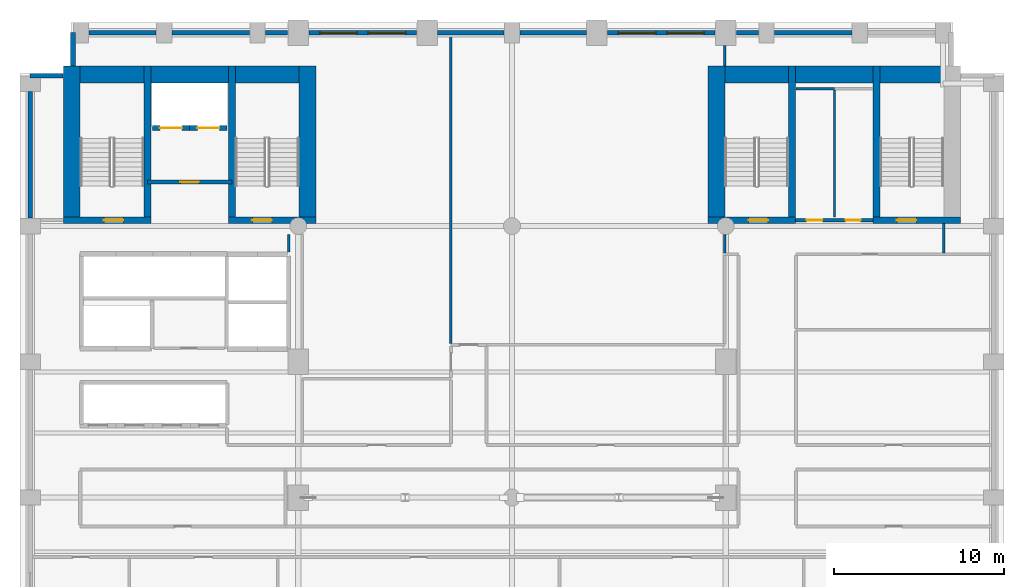
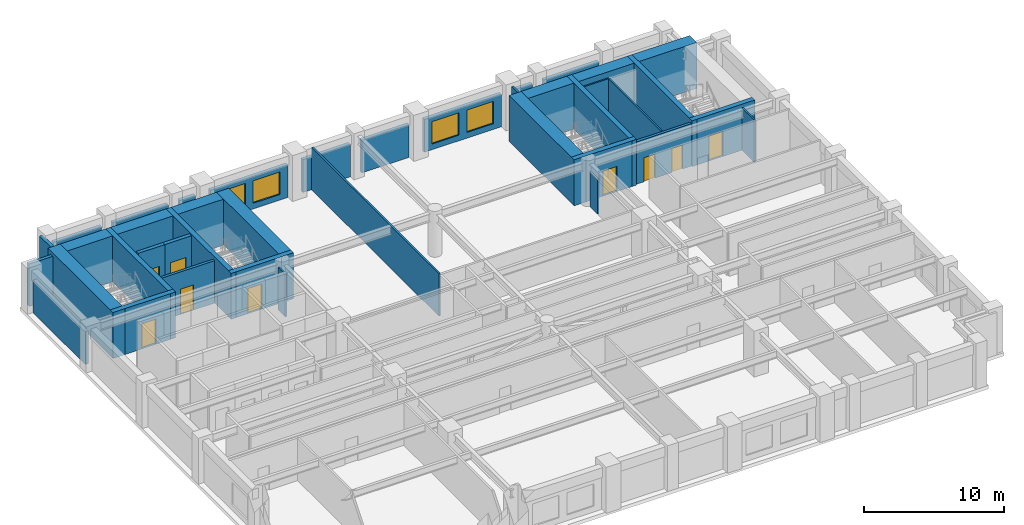
# One storey, part 7 of 10: 36 walls, 9 doors, 4 windows, 13 openings.
"""IFC4 building model written with IfcOpenShell, lengths in metres."""

from ifc_helpers import new_model, si_unit, direction, frame, frame_2d, origin, place, context, subcontext, project, spatial, rectangle, extrude, material, layer, layer_set, type_object, element, fill, save


model = new_model("IFC4")

# Units and contexts
model_context = context("Model", 3, precision=1e-05, world=origin(), true_north=direction((0.0, 1.0)))
body_context = subcontext(model_context, "Body", "Model", "MODEL_VIEW")
ifc_project = project(units=[si_unit("LENGTHUNIT", "METRE"), si_unit("AREAUNIT", "SQUARE_METRE"), si_unit("VOLUMEUNIT", "CUBIC_METRE"), si_unit("PLANEANGLEUNIT", "RADIAN"), si_unit("MASSUNIT", "GRAM", prefix="KILO")], contexts=[model_context])

# Site, building, storey
site_placement = place(None, origin())
site = spatial("IfcSite", under=ifc_project, at=site_placement, CompositionType="ELEMENT")
building_placement = place(site_placement, origin())
building = spatial("IfcBuilding", under=site, at=building_placement, Name="Sulina Concourse Tower", CompositionType="ELEMENT")
storey_placement = place(building_placement, frame((0.0, 0.0, 58.60009765625)))
storey = spatial("IfcBuildingStorey", under=building, at=storey_placement, Name="L14", CompositionType="ELEMENT", Elevation=58.60009765625)

# Wall, opening, door
ifc_material_1 = material(Name="Concrete C50/60", Category="concrete")
ifc_layer_1 = layer(ifc_material_1, 0.300048828125)
ifc_layer_set_1 = layer_set([ifc_layer_1], Name="Concrete C50/60")
wall_type_1 = type_object("IfcWallType", Name="Core Lift Hoistway Wall 300mm", PredefinedType="SOLIDWALL", material=ifc_layer_set_1)
wall_1_placement = place(storey_placement, frame((10.0, 39.780029296875, 0.0), z_axis=(0.0, 0.0, 1.0), x_axis=(-1.0, 0.0, 0.0)))
wall_1 = element("IfcWall", 1, at=wall_1_placement, inside=storey, type_object=wall_type_1, Name="L14 hoistway enclosure wall FFL-1", PredefinedType="SOLIDWALL", context=body_context, shape_type="SweptSolid", body=[
    extrude(rectangle(XDim=2.199951171875, YDim=0.300048828125, at=frame_2d((1.10009765625, 0.0))), origin(), (0.0, 0.0, 1.0), 4.0),
])
opening_1_placement = place(wall_1_placement, frame((0.449951171875, 0.0, 0.0)))
opening_1 = element("IfcOpeningElement", 2, at=opening_1_placement, cuts=wall_1, Name="Opening LD-02", PredefinedType="OPENING", context=body_context, shape_type="SweptSolid", body=[
    extrude(rectangle(XDim=1.300048828125, YDim=2.25, at=frame_2d((0.64990234375, 1.125))), frame((0.0, 0.159912109375, 0.0), z_axis=(0.0, -1.0, 0.0), x_axis=(1.0, 0.0, 0.0)), (0.0, 0.0, 1.0), 0.320068359375),
])
ifc_material_2 = material(Name="Stainless steel lift landing door", Category="steel")
ifc_layer_2 = layer(ifc_material_2, 0.050048828125)
ifc_layer_set_2 = layer_set([ifc_layer_2], Name="Stainless steel lift landing door")
door_type_1 = type_object("IfcDoorType", Name="Firefighting Lift Sliding Landing Door 1300x2250", OperationType="SLIDING_TO_RIGHT", PredefinedType="DOOR", material=ifc_layer_set_2)
door_1_placement = place(opening_1_placement, origin())
door_1 = element("IfcDoor", 3, at=door_1_placement, inside=storey, type_object=door_type_1, Name="L14 lift landing sliding door FFL-1", OperationType="SLIDING_TO_LEFT", OverallHeight=2.25, OverallWidth=1.300048828125, PredefinedType="DOOR", context=body_context, shape_type="SweptSolid", body=[
    extrude(rectangle(XDim=1.300048828125, YDim=2.25, at=frame_2d((0.64990234375, 1.125))), frame((0.0, 0.02490234375, 0.0), z_axis=(0.0, -1.0, 0.0), x_axis=(1.0, 0.0, 0.0)), (0.0, 0.0, 1.0), 0.050048828125),
])
fill(opening_1, door_1)

wall_2_placement = place(storey_placement, frame((12.199951171875, 39.780029296875, 0.0), z_axis=(0.0, 0.0, 1.0), x_axis=(-1.0, 0.0, 0.0)))
wall_2 = element("IfcWall", 4, at=wall_2_placement, inside=storey, type_object=wall_type_1, Name="L14 hoistway enclosure wall FFL-2", PredefinedType="SOLIDWALL", context=body_context, shape_type="SweptSolid", body=[
    extrude(rectangle(XDim=2.199951171875, YDim=0.300048828125, at=frame_2d((1.10009765625, 0.0))), origin(), (0.0, 0.0, 1.0), 4.0),
])
opening_2_placement = place(wall_2_placement, frame((0.449951171875, 0.0, 0.0)))
opening_2 = element("IfcOpeningElement", 5, at=opening_2_placement, cuts=wall_2, Name="Opening LD-02", PredefinedType="OPENING", context=body_context, shape_type="SweptSolid", body=[
    extrude(rectangle(XDim=1.300048828125, YDim=2.25, at=frame_2d((0.64990234375, 1.125))), frame((0.0, 0.159912109375, 0.0), z_axis=(0.0, -1.0, 0.0), x_axis=(1.0, 0.0, 0.0)), (0.0, 0.0, 1.0), 0.320068359375),
])
door_2_placement = place(opening_2_placement, origin())
door_2 = element("IfcDoor", 6, at=door_2_placement, inside=storey, type_object=door_type_1, Name="L14 lift landing sliding door FFL-2", OperationType="SLIDING_TO_RIGHT", OverallHeight=2.25, OverallWidth=1.300048828125, PredefinedType="DOOR", context=body_context, shape_type="SweptSolid", body=[
    extrude(rectangle(XDim=1.300048828125, YDim=2.25, at=frame_2d((0.64990234375, 1.125))), frame((0.0, 0.02490234375, 0.0), z_axis=(0.0, -1.0, 0.0), x_axis=(1.0, 0.0, 0.0)), (0.0, 0.0, 1.0), 0.050048828125),
])
fill(opening_2, door_2)

ifc_material_3 = material(Name="Gypsum board on steel stud", Category="steel")
ifc_layer_3 = layer(ifc_material_3, 0.219970703125)
ifc_layer_set_3 = layer_set([ifc_layer_3], Name="Gypsum board on steel stud")
wall_type_2 = type_object("IfcWallType", Name="Fire-Rated Lobby & Compartment Wall 220mm", PredefinedType="PARTITIONING", material=ifc_layer_set_3)
wall_3_placement = place(storey_placement, frame((7.510009765625, 36.60009765625, 0.0), z_axis=(0.0, 0.0, 1.0), x_axis=(1.0, 0.0, 0.0)))
wall_3 = element("IfcWall", 7, at=wall_3_placement, inside=storey, type_object=wall_type_2, Name="L14 firefighting lobby south fire wall", PredefinedType="PARTITIONING", context=body_context, shape_type="SweptSolid", body=[
    extrude(rectangle(XDim=4.97998046875, YDim=0.219970703125, at=frame_2d((2.489990234375, 0.0))), origin(), (0.0, 0.0, 1.0), 3.699951171875),
])
opening_3_placement = place(wall_3_placement, frame((1.93994140625, 0.0, 0.0)))
opening_3 = element("IfcOpeningElement", 8, at=opening_3_placement, cuts=wall_3, Name="Opening DR-47", PredefinedType="OPENING", context=body_context, shape_type="SweptSolid", body=[
    extrude(rectangle(XDim=1.10009765625, YDim=2.199951171875, at=frame_2d((0.550048828125, 1.10009765625))), frame((0.0, 0.119873046875, 0.0), z_axis=(0.0, -1.0, 0.0), x_axis=(1.0, 0.0, 0.0)), (0.0, 0.0, 1.0), 0.239990234375),
])
ifc_material_4 = material(Name="Galvanised steel acoustic fire leaf", Category="steel")
ifc_layer_4 = layer(ifc_material_4, 0.054931640625)
ifc_layer_set_4 = layer_set([ifc_layer_4], Name="Galvanised steel acoustic fire leaf")
door_type_2 = type_object("IfcDoorType", Name="Firefighting Lobby Fire Door 1100x2200", OperationType="NOTDEFINED", PredefinedType="DOOR", material=ifc_layer_set_4)
door_3_placement = place(opening_3_placement, origin())
door_3 = element("IfcDoor", 9, at=door_3_placement, inside=storey, type_object=door_type_2, Name="L14 firefighting lobby fire door", OperationType="SINGLE_SWING_LEFT", OverallHeight=2.199951171875, OverallWidth=1.10009765625, PredefinedType="DOOR", context=body_context, shape_type="SweptSolid", body=[
    extrude(rectangle(XDim=1.10009765625, YDim=2.199951171875, at=frame_2d((0.550048828125, 1.10009765625))), frame((0.0, 0.02490234375, 0.0), z_axis=(0.0, -1.0, 0.0), x_axis=(1.0, 0.0, 0.0)), (0.0, 0.0, 1.0), 0.050048828125),
])
fill(opening_3, door_3)

# Wall, openings, doors
wall_4_placement = place(storey_placement, frame((45.719970703125, 34.35009765625, 0.0), z_axis=(0.0, 0.0, 1.0), x_axis=(1.0, 0.0, 0.0)))
wall_4 = element("IfcWall", 10, at=wall_4_placement, inside=storey, type_object=wall_type_2, Name="L14 east core south lobby wall", PredefinedType="PARTITIONING", context=body_context, shape_type="SweptSolid", body=[
    extrude(rectangle(XDim=4.56005859375, YDim=0.219970703125, at=frame_2d((2.280029296875, 0.0))), origin(), (0.0, 0.0, 1.0), 3.699951171875),
])
opening_4_placement = place(wall_4_placement, frame((0.64990234375, 0.0, 0.0)))
opening_4 = element("IfcOpeningElement", 11, at=opening_4_placement, cuts=wall_4, Name="Opening DR-61", PredefinedType="OPENING", context=body_context, shape_type="SweptSolid", body=[
    extrude(rectangle(XDim=0.919921875, YDim=2.10009765625, at=frame_2d((0.4599609375, 1.050048828125))), frame((0.0, 0.119873046875, 0.0), z_axis=(0.0, -1.0, 0.0), x_axis=(1.0, 0.0, 0.0)), (0.0, 0.0, 1.0), 0.239990234375),
])
opening_5_placement = place(wall_4_placement, frame((2.949951171875, 0.0, 0.0)))
opening_5 = element("IfcOpeningElement", 12, at=opening_5_placement, cuts=wall_4, Name="Opening DR-38", PredefinedType="OPENING", context=body_context, shape_type="SweptSolid", body=[
    extrude(rectangle(XDim=0.8798828125, YDim=2.10009765625, at=frame_2d((0.43994140625, 1.050048828125))), frame((0.0, 0.119873046875, 0.0), z_axis=(0.0, -1.0, 0.0), x_axis=(1.0, 0.0, 0.0)), (0.0, 0.0, 1.0), 0.239990234375),
])
ifc_material_5 = material(Name="Oak-veneered fire door leaf")
ifc_layer_5 = layer(ifc_material_5, 0.050048828125)
ifc_layer_set_5 = layer_set([ifc_layer_5], Name="Oak-veneered fire door leaf")
door_type_3 = type_object("IfcDoorType", Name="Accessible WC Door 920x2100", OperationType="NOTDEFINED", PredefinedType="DOOR", material=ifc_layer_set_5)
door_4_placement = place(opening_4_placement, origin())
door_4 = element("IfcDoor", 13, at=door_4_placement, inside=storey, type_object=door_type_3, Name="L14 east core accessible wc door", OperationType="SINGLE_SWING_LEFT", OverallHeight=2.10009765625, OverallWidth=0.919921875, PredefinedType="DOOR", context=body_context, shape_type="SweptSolid", body=[
    extrude(rectangle(XDim=0.919921875, YDim=2.10009765625, at=frame_2d((0.4599609375, 1.050048828125))), frame((0.0, 0.02490234375, 0.0), z_axis=(0.0, -1.0, 0.0), x_axis=(1.0, 0.0, 0.0)), (0.0, 0.0, 1.0), 0.050048828125),
])
fill(opening_4, door_4)
ifc_material_6 = material(Name="Galvanised steel acoustic fire leaf", Category="steel")
ifc_layer_6 = layer(ifc_material_6, 0.050048828125)
ifc_layer_set_6 = layer_set([ifc_layer_6], Name="Galvanised steel acoustic fire leaf")
door_type_4 = type_object("IfcDoorType", Name="Service Riser Fire Door 880x2100", OperationType="NOTDEFINED", PredefinedType="DOOR", material=ifc_layer_set_6)
door_5_placement = place(opening_5_placement, origin())
door_5 = element("IfcDoor", 14, at=door_5_placement, inside=storey, type_object=door_type_4, Name="L14 east core store door", OperationType="SINGLE_SWING_RIGHT", OverallHeight=2.10009765625, OverallWidth=0.8798828125, PredefinedType="DOOR", context=body_context, shape_type="SweptSolid", body=[
    extrude(rectangle(XDim=0.8798828125, YDim=2.10009765625, at=frame_2d((0.43994140625, 1.050048828125))), frame((0.0, 0.02490234375, 0.0), z_axis=(0.0, -1.0, 0.0), x_axis=(1.0, 0.0, 0.0)), (0.0, 0.0, 1.0), 0.050048828125),
])
fill(opening_5, door_5)

# Walls
ifc_material_7 = material(Name="Gypsum board on steel stud", Category="steel")
ifc_layer_7 = layer(ifc_material_7, 0.14990234375)
ifc_layer_set_7 = layer_set([ifc_layer_7], Name="Gypsum board on steel stud")
wall_type_3 = type_object("IfcWallType", Name="Inter-Tenancy Acoustic Partition 150mm", PredefinedType="PARTITIONING", material=ifc_layer_set_7)
wall_5_placement = place(storey_placement, frame((15.85009765625, 32.469970703125, 0.0), z_axis=(0.0, 0.0, 1.0), x_axis=(0.0, 1.0, 0.0)))
element("IfcWall", 15, at=wall_5_placement, inside=storey, type_object=wall_type_3, Name="L14 interior partition 034", PredefinedType="PARTITIONING", context=body_context, shape_type="SweptSolid", body=[
    extrude(rectangle(XDim=1.030029296875, YDim=0.14990234375, at=frame_2d((0.51513671875, 0.0))), origin(), (0.0, 0.0, 1.0), 3.699951171875),
])
wall_6_placement = place(storey_placement, frame((25.39990234375, 27.090087890625, 0.0), z_axis=(0.0, 0.0, 1.0), x_axis=(0.0, 1.0, 0.0)))
element("IfcWall", 16, at=wall_6_placement, inside=storey, type_object=wall_type_3, Name="L14 interior partition 039", PredefinedType="PARTITIONING", context=body_context, shape_type="SweptSolid", body=[
    extrude(rectangle(XDim=18.169921875, YDim=0.14990234375, at=frame_2d((9.0849609375, 0.0))), origin(), (0.0, 0.0, 1.0), 3.699951171875),
])
wall_7_placement = place(storey_placement, frame((41.550048828125, 32.425048828125, 0.0), z_axis=(0.0, 0.0, 1.0), x_axis=(0.0, 1.0, 0.0)))
element("IfcWall", 17, at=wall_7_placement, inside=storey, type_object=wall_type_3, Name="L14 interior partition 044", PredefinedType="PARTITIONING", context=body_context, shape_type="SweptSolid", body=[
    extrude(rectangle(XDim=1.074951171875, YDim=0.14990234375, at=frame_2d((0.53759765625, 0.0))), origin(), (0.0, 0.0, 1.0), 2.994873046875),
])
wall_8_placement = place(storey_placement, frame((41.550048828125, 43.429931640625, 0.0), z_axis=(0.0, 0.0, 1.0), x_axis=(0.0, 1.0, 0.0)))
element("IfcWall", 18, at=wall_8_placement, inside=storey, type_object=wall_type_3, Name="L14 interior partition 045", PredefinedType="PARTITIONING", context=body_context, shape_type="SweptSolid", body=[
    extrude(rectangle(XDim=1.219970703125, YDim=0.14990234375, at=frame_2d((0.60986328125, 0.0))), origin(), (0.0, 0.0, 1.0), 3.699951171875),
])
wall_9_placement = place(storey_placement, frame((54.449951171875, 32.425048828125, 0.0), z_axis=(0.0, 0.0, 1.0), x_axis=(0.0, 1.0, 0.0)))
element("IfcWall", 19, at=wall_9_placement, inside=storey, type_object=wall_type_3, Name="L14 interior partition 054", PredefinedType="PARTITIONING", context=body_context, shape_type="SweptSolid", body=[
    extrude(rectangle(XDim=1.724853515625, YDim=0.14990234375, at=frame_2d((0.8623046875, 0.0))), origin(), (0.0, 0.0, 1.0), 3.699951171875),
])

# Wall, opening, door
ifc_material_8 = material(Name="Concrete C60/75", Category="concrete")
ifc_layer_8 = layer(ifc_material_8, 0.39990234375)
ifc_layer_set_8 = layer_set([ifc_layer_8], Name="Concrete C60/75")
wall_type_4 = type_object("IfcWallType", Name="Protected Stair Core Shear Wall 400mm", PredefinedType="SHEAR", material=ifc_layer_set_8)
wall_10_placement = place(storey_placement, frame((2.550048828125, 34.35009765625, 0.0), z_axis=(0.0, 0.0, 1.0), x_axis=(1.0, 0.0, 0.0)))
wall_10 = element("IfcWall", 20, at=wall_10_placement, inside=storey, type_object=wall_type_4, Name="L14 west core shear wall CW-WS1", PredefinedType="SHEAR", context=body_context, shape_type="SweptSolid", body=[
    extrude(rectangle(XDim=5.159912109375, YDim=0.39990234375, at=frame_2d((2.580078125, 0.0))), origin(), (0.0, 0.0, 1.0), 4.0),
])
opening_6_placement = place(wall_10_placement, frame((2.39990234375, 0.0, 0.0)))
opening_6 = element("IfcOpeningElement", 21, at=opening_6_placement, cuts=wall_10, Name="Opening DR-60", PredefinedType="OPENING", context=body_context, shape_type="SweptSolid", body=[
    extrude(rectangle(XDim=1.14990234375, YDim=2.199951171875, at=frame_2d((0.574951171875, 1.10009765625))), frame((0.0, 0.2099609375, 0.0), z_axis=(0.0, -1.0, 0.0), x_axis=(1.0, 0.0, 0.0)), (0.0, 0.0, 1.0), 0.419921875),
])
ifc_material_9 = material(Name="Galvanised steel acoustic fire leaf", Category="steel")
ifc_layer_9 = layer(ifc_material_9, 0.054931640625)
ifc_layer_set_9 = layer_set([ifc_layer_9], Name="Galvanised steel acoustic fire leaf")
door_type_5 = type_object("IfcDoorType", Name="Protected Exit Stair Fire Door 1150x2200", OperationType="NOTDEFINED", PredefinedType="DOOR", material=ifc_layer_set_9)
door_6_placement = place(opening_6_placement, origin())
door_6 = element("IfcDoor", 22, at=door_6_placement, inside=storey, type_object=door_type_5, Name="L14 stair ST-1 lobby fire door", OperationType="SINGLE_SWING_LEFT", OverallHeight=2.199951171875, OverallWidth=1.14990234375, PredefinedType="DOOR", context=body_context, shape_type="SweptSolid", body=[
    extrude(rectangle(XDim=1.14990234375, YDim=2.199951171875, at=frame_2d((0.574951171875, 1.10009765625))), frame((0.0, 0.02490234375, 0.0), z_axis=(0.0, -1.0, 0.0), x_axis=(1.0, 0.0, 0.0)), (0.0, 0.0, 1.0), 0.050048828125),
])
fill(opening_6, door_6)

wall_11_placement = place(storey_placement, frame((12.2900390625, 34.35009765625, 0.0), z_axis=(0.0, 0.0, 1.0), x_axis=(1.0, 0.0, 0.0)))
wall_11 = element("IfcWall", 23, at=wall_11_placement, inside=storey, type_object=wall_type_4, Name="L14 west core shear wall CW-WS2", PredefinedType="SHEAR", context=body_context, shape_type="SweptSolid", body=[
    extrude(rectangle(XDim=5.159912109375, YDim=0.39990234375, at=frame_2d((2.580078125, 0.0))), origin(), (0.0, 0.0, 1.0), 4.0),
])
opening_7_placement = place(wall_11_placement, frame((1.39990234375, 0.0, 0.0)))
opening_7 = element("IfcOpeningElement", 24, at=opening_7_placement, cuts=wall_11, Name="Opening DR-60", PredefinedType="OPENING", context=body_context, shape_type="SweptSolid", body=[
    extrude(rectangle(XDim=1.14990234375, YDim=2.199951171875, at=frame_2d((0.574951171875, 1.10009765625))), frame((0.0, 0.2099609375, 0.0), z_axis=(0.0, -1.0, 0.0), x_axis=(1.0, 0.0, 0.0)), (0.0, 0.0, 1.0), 0.419921875),
])
door_7_placement = place(opening_7_placement, origin())
door_7 = element("IfcDoor", 25, at=door_7_placement, inside=storey, type_object=door_type_5, Name="L14 stair ST-2 lobby fire door", OperationType="SINGLE_SWING_RIGHT", OverallHeight=2.199951171875, OverallWidth=1.14990234375, PredefinedType="DOOR", context=body_context, shape_type="SweptSolid", body=[
    extrude(rectangle(XDim=1.14990234375, YDim=2.199951171875, at=frame_2d((0.574951171875, 1.10009765625))), frame((0.0, 0.02490234375, 0.0), z_axis=(0.0, -1.0, 0.0), x_axis=(1.0, 0.0, 0.0)), (0.0, 0.0, 1.0), 0.050048828125),
])
fill(opening_7, door_7)

# Walls
for number, where, z_axis, x_axis, name in (
    (26, (7.510009765625, 34.14990234375, 0.0), (0.0, 0.0, 1.0), (0.0, 1.0, 0.0), "L14 west core shear wall SW-ST1"),
    (27, (12.489990234375, 34.14990234375, 0.0), (0.0, 0.0, 1.0), (0.0, 1.0, 0.0), "L14 west core shear wall SW-ST2"),
):
    element("IfcWall", number, at=place(storey_placement, frame(where, z_axis=z_axis, x_axis=x_axis)), inside=storey, type_object=wall_type_4, Name=name, PredefinedType="SHEAR", context=body_context, shape_type="SweptSolid", body=[
        extrude(rectangle(XDim=9.280029296875, YDim=0.39990234375, at=frame_2d((4.64013671875, 0.0))), origin(), (0.0, 0.0, 1.0), 4.0),
    ])

# Wall, opening, door
wall_12_placement = place(storey_placement, frame((40.550048828125, 34.35009765625, 0.0), z_axis=(0.0, 0.0, 1.0), x_axis=(1.0, 0.0, 0.0)))
wall_12 = element("IfcWall", 28, at=wall_12_placement, inside=storey, type_object=wall_type_4, Name="L14 east core shear wall CW-ES1", PredefinedType="SHEAR", context=body_context, shape_type="SweptSolid", body=[
    extrude(rectangle(XDim=5.159912109375, YDim=0.39990234375, at=frame_2d((2.580078125, 0.0))), origin(), (0.0, 0.0, 1.0), 4.0),
])
opening_8_placement = place(wall_12_placement, frame((2.39990234375, 0.0, 0.0)))
opening_8 = element("IfcOpeningElement", 29, at=opening_8_placement, cuts=wall_12, Name="Opening DR-60", PredefinedType="OPENING", context=body_context, shape_type="SweptSolid", body=[
    extrude(rectangle(XDim=1.14990234375, YDim=2.199951171875, at=frame_2d((0.574951171875, 1.10009765625))), frame((0.0, 0.2099609375, 0.0), z_axis=(0.0, -1.0, 0.0), x_axis=(1.0, 0.0, 0.0)), (0.0, 0.0, 1.0), 0.419921875),
])
door_8_placement = place(opening_8_placement, origin())
door_8 = element("IfcDoor", 30, at=door_8_placement, inside=storey, type_object=door_type_5, Name="L14 stair ST-3 south lobby fire door", OperationType="SINGLE_SWING_RIGHT", OverallHeight=2.199951171875, OverallWidth=1.14990234375, PredefinedType="DOOR", context=body_context, shape_type="SweptSolid", body=[
    extrude(rectangle(XDim=1.14990234375, YDim=2.199951171875, at=frame_2d((0.574951171875, 1.10009765625))), frame((0.0, 0.02490234375, 0.0), z_axis=(0.0, -1.0, 0.0), x_axis=(1.0, 0.0, 0.0)), (0.0, 0.0, 1.0), 0.050048828125),
])
fill(opening_8, door_8)

# Wall
wall_13_placement = place(storey_placement, frame((45.510009765625, 34.14990234375, 0.0), z_axis=(0.0, 0.0, 1.0), x_axis=(0.0, 1.0, 0.0)))
element("IfcWall", 31, at=wall_13_placement, inside=storey, type_object=wall_type_4, Name="L14 east core shear wall SW-ST3", PredefinedType="SHEAR", context=body_context, shape_type="SweptSolid", body=[
    extrude(rectangle(XDim=9.280029296875, YDim=0.39990234375, at=frame_2d((4.64013671875, 0.0))), origin(), (0.0, 0.0, 1.0), 4.0),
])

# Wall, opening, door
wall_14_placement = place(storey_placement, frame((50.2900390625, 34.35009765625, 0.0), z_axis=(0.0, 0.0, 1.0), x_axis=(1.0, 0.0, 0.0)))
wall_14 = element("IfcWall", 32, at=wall_14_placement, inside=storey, type_object=wall_type_4, Name="L14 east core shear wall CW-ES2", PredefinedType="SHEAR", context=body_context, shape_type="SweptSolid", body=[
    extrude(rectangle(XDim=5.159912109375, YDim=0.39990234375, at=frame_2d((2.580078125, 0.0))), origin(), (0.0, 0.0, 1.0), 4.0),
])
opening_9_placement = place(wall_14_placement, frame((1.39990234375, 0.0, 0.0)))
opening_9 = element("IfcOpeningElement", 33, at=opening_9_placement, cuts=wall_14, Name="Opening DR-60", PredefinedType="OPENING", context=body_context, shape_type="SweptSolid", body=[
    extrude(rectangle(XDim=1.14990234375, YDim=2.199951171875, at=frame_2d((0.574951171875, 1.10009765625))), frame((0.0, 0.2099609375, 0.0), z_axis=(0.0, -1.0, 0.0), x_axis=(1.0, 0.0, 0.0)), (0.0, 0.0, 1.0), 0.419921875),
])
door_9_placement = place(opening_9_placement, origin())
door_9 = element("IfcDoor", 34, at=door_9_placement, inside=storey, type_object=door_type_5, Name="L14 stair ST-4 south lobby fire door", OperationType="SINGLE_SWING_LEFT", OverallHeight=2.199951171875, OverallWidth=1.14990234375, PredefinedType="DOOR", context=body_context, shape_type="SweptSolid", body=[
    extrude(rectangle(XDim=1.14990234375, YDim=2.199951171875, at=frame_2d((0.574951171875, 1.10009765625))), frame((0.0, 0.02490234375, 0.0), z_axis=(0.0, -1.0, 0.0), x_axis=(1.0, 0.0, 0.0)), (0.0, 0.0, 1.0), 0.050048828125),
])
fill(opening_9, door_9)

# Walls
wall_15_placement = place(storey_placement, frame((50.489990234375, 34.14990234375, 0.0), z_axis=(0.0, 0.0, 1.0), x_axis=(0.0, 1.0, 0.0)))
element("IfcWall", 35, at=wall_15_placement, inside=storey, type_object=wall_type_4, Name="L14 east core shear wall SW-ST4", PredefinedType="SHEAR", context=body_context, shape_type="SweptSolid", body=[
    extrude(rectangle(XDim=9.280029296875, YDim=0.39990234375, at=frame_2d((4.64013671875, 0.0))), origin(), (0.0, 0.0, 1.0), 4.0),
])
ifc_material_10 = material(Name="Concrete C80/95", Category="concrete")
ifc_layer_10 = layer(ifc_material_10, 1.0)
ifc_layer_set_10 = layer_set([ifc_layer_10], Name="Concrete C80/95")
wall_type_5 = type_object("IfcWallType", Name="Rear Core Shear Wall 1000mm", PredefinedType="SHEAR", material=ifc_layer_set_10)
wall_16_placement = place(storey_placement, frame((2.550048828125, 42.929931640625, 0.0), z_axis=(0.0, 0.0, 1.0), x_axis=(1.0, 0.0, 0.0)))
element("IfcWall", 36, at=wall_16_placement, inside=storey, type_object=wall_type_5, Name="L14 west core shear wall CW-WN", PredefinedType="SHEAR", context=body_context, shape_type="SweptSolid", body=[
    extrude(rectangle(XDim=14.89990234375, YDim=1.0, at=frame_2d((7.449951171875, 0.0))), origin(), (0.0, 0.0, 1.0), 4.0),
])
for number, where, z_axis, x_axis, name in (
    (37, (3.050048828125, 34.14990234375, 0.0), (0.0, 0.0, 1.0), (0.0, 1.0, 0.0), "L14 west core shear wall CW-WW"),
    (38, (16.949951171875, 34.14990234375, 0.0), (0.0, 0.0, 1.0), (0.0, 1.0, 0.0), "L14 west core shear wall CW-WE"),
):
    element("IfcWall", number, at=place(storey_placement, frame(where, z_axis=z_axis, x_axis=x_axis)), inside=storey, type_object=wall_type_5, Name=name, PredefinedType="SHEAR", context=body_context, shape_type="SweptSolid", body=[
        extrude(rectangle(XDim=9.280029296875, YDim=1.0, at=frame_2d((4.64013671875, 0.0))), origin(), (0.0, 0.0, 1.0), 4.0),
    ])
wall_17_placement = place(storey_placement, frame((40.550048828125, 42.929931640625, 0.0), z_axis=(0.0, 0.0, 1.0), x_axis=(1.0, 0.0, 0.0)))
element("IfcWall", 39, at=wall_17_placement, inside=storey, type_object=wall_type_5, Name="L14 east core shear wall CW-EN", PredefinedType="SHEAR", context=body_context, shape_type="SweptSolid", body=[
    extrude(rectangle(XDim=14.89990234375, YDim=1.0, at=frame_2d((7.449951171875, 0.0))), origin(), (0.0, 0.0, 1.0), 4.0),
])
wall_18_placement = place(storey_placement, frame((41.050048828125, 34.14990234375, 0.0), z_axis=(0.0, 0.0, 1.0), x_axis=(0.0, 1.0, 0.0)))
element("IfcWall", 40, at=wall_18_placement, inside=storey, type_object=wall_type_5, Name="L14 east core shear wall CW-EW", PredefinedType="SHEAR", context=body_context, shape_type="SweptSolid", body=[
    extrude(rectangle(XDim=9.280029296875, YDim=1.0, at=frame_2d((4.64013671875, 0.0))), origin(), (0.0, 0.0, 1.0), 4.0),
])
ifc_material_11 = material(Name="Precast concrete C50/60", Category="concrete")
ifc_layer_11 = layer(ifc_material_11, 0.280029296875)
ifc_layer_set_11 = layer_set([ifc_layer_11], Name="Precast concrete C50/60")
wall_type_6 = type_object("IfcWallType", Name="Typical Precast Masonry-Frame Facade Wall 280mm", PredefinedType="SOLIDWALL", material=ifc_layer_set_11)
wall_19_placement = place(storey_placement, frame((0.60009765625, 34.469970703125, 0.0), z_axis=(0.0, 0.0, 1.0), x_axis=(0.0, 1.0, 0.0)))
element("IfcWall", 41, at=wall_19_placement, inside=storey, type_object=wall_type_6, Name="L14 exterior precast wall W5", PredefinedType="SOLIDWALL", context=body_context, shape_type="SweptSolid", body=[
    extrude(rectangle(XDim=7.4599609375, YDim=0.280029296875, at=frame_2d((3.72998046875, 0.0))), origin(), (0.0, 0.0, 1.0), 2.849853515625),
])
wall_20_placement = place(storey_placement, frame((4.070068359375, 45.39990234375, 0.0), z_axis=(0.0, 0.0, 1.0), x_axis=(1.0, 0.0, 0.0)))
element("IfcWall", 42, at=wall_20_placement, inside=storey, type_object=wall_type_6, Name="L14 exterior precast wall N1", PredefinedType="SOLIDWALL", context=body_context, shape_type="SweptSolid", body=[
    extrude(rectangle(XDim=3.9599609375, YDim=0.280029296875, at=frame_2d((1.97998046875, 0.0))), origin(), (0.0, 0.0, 1.0), 2.849853515625),
])
wall_21_placement = place(storey_placement, frame((8.969970703125, 45.39990234375, 0.0), z_axis=(0.0, 0.0, 1.0), x_axis=(1.0, 0.0, 0.0)))
element("IfcWall", 43, at=wall_21_placement, inside=storey, type_object=wall_type_6, Name="L14 exterior precast wall N2", PredefinedType="SOLIDWALL", context=body_context, shape_type="SweptSolid", body=[
    extrude(rectangle(XDim=4.56005859375, YDim=0.280029296875, at=frame_2d((2.280029296875, 0.0))), origin(), (0.0, 0.0, 1.0), 2.849853515625),
])
wall_22_placement = place(storey_placement, frame((14.469970703125, 45.39990234375, 0.0), z_axis=(0.0, 0.0, 1.0), x_axis=(1.0, 0.0, 0.0)))
element("IfcWall", 44, at=wall_22_placement, inside=storey, type_object=wall_type_6, Name="L14 exterior precast wall N3", PredefinedType="SOLIDWALL", context=body_context, shape_type="SweptSolid", body=[
    extrude(rectangle(XDim=1.31005859375, YDim=0.280029296875, at=frame_2d((0.655029296875, 0.0))), origin(), (0.0, 0.0, 1.0), 2.849853515625),
])

# Wall, openings, windows
wall_23_placement = place(storey_placement, frame((17.02001953125, 45.39990234375, 0.0), z_axis=(0.0, 0.0, 1.0), x_axis=(1.0, 0.0, 0.0)))
wall_23 = element("IfcWall", 45, at=wall_23_placement, inside=storey, type_object=wall_type_6, Name="L14 exterior precast wall N4", PredefinedType="SOLIDWALL", context=body_context, shape_type="SweptSolid", body=[
    extrude(rectangle(XDim=6.35986328125, YDim=0.280029296875, at=frame_2d((3.179931640625, 0.0))), origin(), (0.0, 0.0, 1.0), 2.849853515625),
])
opening_10_placement = place(wall_23_placement, frame((0.6533203125, 0.0, 0.5)))
opening_10 = element("IfcOpeningElement", 46, at=opening_10_placement, cuts=wall_23, Name="Opening WN-76", PredefinedType="OPENING", context=body_context, shape_type="SweptSolid", body=[
    extrude(rectangle(XDim=2.199951171875, YDim=1.949951171875, at=frame_2d((1.10009765625, 0.97509765625))), frame((0.0, 0.14990234375, 0.0), z_axis=(0.0, -1.0, 0.0), x_axis=(1.0, 0.0, 0.0)), (0.0, 0.0, 1.0), 0.300048828125),
])
opening_11_placement = place(wall_23_placement, frame((3.506591796875, 0.0, 0.5)))
opening_11 = element("IfcOpeningElement", 47, at=opening_11_placement, cuts=wall_23, Name="Opening WN-76", PredefinedType="OPENING", context=body_context, shape_type="SweptSolid", body=[
    extrude(rectangle(XDim=2.199951171875, YDim=1.949951171875, at=frame_2d((1.10009765625, 0.97509765625))), frame((0.0, 0.14990234375, 0.0), z_axis=(0.0, -1.0, 0.0), x_axis=(1.0, 0.0, 0.0)), (0.0, 0.0, 1.0), 0.300048828125),
])
ifc_material_12 = material(Name="Low-E solar double glazing in bronze aluminium", Category="aluminium")
window_type = type_object("IfcWindowType", Name="Recessed Spandrel Window 2200x1950", PartitioningType="DOUBLE_PANEL_VERTICAL", PredefinedType="WINDOW", material=ifc_material_12)
window_1_placement = place(opening_10_placement, origin())
window_1 = element("IfcWindow", 48, at=window_1_placement, inside=storey, type_object=window_type, Name="L14 punched window N4-1", OverallHeight=1.949951171875, OverallWidth=2.199951171875, PartitioningType="SINGLE_PANEL", PredefinedType="WINDOW", context=body_context, shape_type="SweptSolid", body=[
    extrude(rectangle(XDim=2.199951171875, YDim=1.949951171875, at=frame_2d((1.10009765625, 0.97509765625))), frame((0.0, 0.030029296875, 0.0), z_axis=(0.0, -1.0, 0.0), x_axis=(1.0, 0.0, 0.0)), (0.0, 0.0, 1.0), 0.06005859375),
])
fill(opening_10, window_1)
window_2_placement = place(opening_11_placement, origin())
window_2 = element("IfcWindow", 49, at=window_2_placement, inside=storey, type_object=window_type, Name="L14 punched window N4-2", OverallHeight=1.949951171875, OverallWidth=2.199951171875, PartitioningType="SINGLE_PANEL", PredefinedType="WINDOW", context=body_context, shape_type="SweptSolid", body=[
    extrude(rectangle(XDim=2.199951171875, YDim=1.949951171875, at=frame_2d((1.10009765625, 0.97509765625))), frame((0.0, 0.030029296875, 0.0), z_axis=(0.0, -1.0, 0.0), x_axis=(1.0, 0.0, 0.0)), (0.0, 0.0, 1.0), 0.06005859375),
])
fill(opening_11, window_2)

# Walls
for number, where, z_axis, x_axis, name in (
    (50, (24.6201171875, 45.39990234375, 0.0), (0.0, 0.0, 1.0), (1.0, 0.0, 0.0), "L14 exterior precast wall N5"),
    (51, (29.469970703125, 45.39990234375, 0.0), (0.0, 0.0, 1.0), (1.0, 0.0, 0.0), "L14 exterior precast wall N6"),
):
    element("IfcWall", number, at=place(storey_placement, frame(where, z_axis=z_axis, x_axis=x_axis)), inside=storey, type_object=wall_type_6, Name=name, PredefinedType="SOLIDWALL", context=body_context, shape_type="SweptSolid", body=[
        extrude(rectangle(XDim=3.909912109375, YDim=0.280029296875, at=frame_2d((1.955078125, 0.0))), origin(), (0.0, 0.0, 1.0), 2.849853515625),
    ])

# Wall, openings, windows
wall_24_placement = place(storey_placement, frame((34.6201171875, 45.39990234375, 0.0), z_axis=(0.0, 0.0, 1.0), x_axis=(1.0, 0.0, 0.0)))
wall_24 = element("IfcWall", 52, at=wall_24_placement, inside=storey, type_object=wall_type_6, Name="L14 exterior precast wall N7", PredefinedType="SOLIDWALL", context=body_context, shape_type="SweptSolid", body=[
    extrude(rectangle(XDim=6.35986328125, YDim=0.280029296875, at=frame_2d((3.179931640625, 0.0))), origin(), (0.0, 0.0, 1.0), 2.849853515625),
])
opening_12_placement = place(wall_24_placement, frame((0.6533203125, 0.0, 0.5)))
opening_12 = element("IfcOpeningElement", 53, at=opening_12_placement, cuts=wall_24, Name="Opening WN-76", PredefinedType="OPENING", context=body_context, shape_type="SweptSolid", body=[
    extrude(rectangle(XDim=2.199951171875, YDim=1.949951171875, at=frame_2d((1.10009765625, 0.97509765625))), frame((0.0, 0.14990234375, 0.0), z_axis=(0.0, -1.0, 0.0), x_axis=(1.0, 0.0, 0.0)), (0.0, 0.0, 1.0), 0.300048828125),
])
opening_13_placement = place(wall_24_placement, frame((3.506591796875, 0.0, 0.5)))
opening_13 = element("IfcOpeningElement", 54, at=opening_13_placement, cuts=wall_24, Name="Opening WN-76", PredefinedType="OPENING", context=body_context, shape_type="SweptSolid", body=[
    extrude(rectangle(XDim=2.199951171875, YDim=1.949951171875, at=frame_2d((1.10009765625, 0.97509765625))), frame((0.0, 0.14990234375, 0.0), z_axis=(0.0, -1.0, 0.0), x_axis=(1.0, 0.0, 0.0)), (0.0, 0.0, 1.0), 0.300048828125),
])
window_3_placement = place(opening_12_placement, origin())
window_3 = element("IfcWindow", 55, at=window_3_placement, inside=storey, type_object=window_type, Name="L14 punched window N7-1", OverallHeight=1.949951171875, OverallWidth=2.199951171875, PartitioningType="SINGLE_PANEL", PredefinedType="WINDOW", context=body_context, shape_type="SweptSolid", body=[
    extrude(rectangle(XDim=2.199951171875, YDim=1.949951171875, at=frame_2d((1.10009765625, 0.97509765625))), frame((0.0, 0.030029296875, 0.0), z_axis=(0.0, -1.0, 0.0), x_axis=(1.0, 0.0, 0.0)), (0.0, 0.0, 1.0), 0.06005859375),
])
fill(opening_12, window_3)
window_4_placement = place(opening_13_placement, origin())
window_4 = element("IfcWindow", 56, at=window_4_placement, inside=storey, type_object=window_type, Name="L14 punched window N7-2", OverallHeight=1.949951171875, OverallWidth=2.199951171875, PartitioningType="SINGLE_PANEL", PredefinedType="WINDOW", context=body_context, shape_type="SweptSolid", body=[
    extrude(rectangle(XDim=2.199951171875, YDim=1.949951171875, at=frame_2d((1.10009765625, 0.97509765625))), frame((0.0, 0.030029296875, 0.0), z_axis=(0.0, -1.0, 0.0), x_axis=(1.0, 0.0, 0.0)), (0.0, 0.0, 1.0), 0.06005859375),
])
fill(opening_13, window_4)

# Walls
wall_25_placement = place(storey_placement, frame((42.219970703125, 45.39990234375, 0.0), z_axis=(0.0, 0.0, 1.0), x_axis=(1.0, 0.0, 0.0)))
element("IfcWall", 57, at=wall_25_placement, inside=storey, type_object=wall_type_6, Name="L14 exterior precast wall N8", PredefinedType="SOLIDWALL", context=body_context, shape_type="SweptSolid", body=[
    extrude(rectangle(XDim=1.31005859375, YDim=0.280029296875, at=frame_2d((0.655029296875, 0.0))), origin(), (0.0, 0.0, 1.0), 2.849853515625),
])
wall_26_placement = place(storey_placement, frame((44.469970703125, 45.39990234375, 0.0), z_axis=(0.0, 0.0, 1.0), x_axis=(1.0, 0.0, 0.0)))
element("IfcWall", 58, at=wall_26_placement, inside=storey, type_object=wall_type_6, Name="L14 exterior precast wall N9", PredefinedType="SOLIDWALL", context=body_context, shape_type="SweptSolid", body=[
    extrude(rectangle(XDim=4.56005859375, YDim=0.280029296875, at=frame_2d((2.280029296875, 0.0))), origin(), (0.0, 0.0, 1.0), 2.849853515625),
])
wall_27_placement = place(storey_placement, frame((0.60009765625, 42.8701171875, 0.0), z_axis=(0.0, 0.0, 1.0), x_axis=(1.0, 0.0, 0.0)))
element("IfcWall", 59, at=wall_27_placement, inside=storey, type_object=wall_type_6, Name="L14 exterior precast wall CNW1", PredefinedType="SOLIDWALL", context=body_context, shape_type="SweptSolid", body=[
    extrude(rectangle(XDim=1.94482421875, YDim=0.280029296875, at=frame_2d((0.972412109375, 0.0))), origin(), (0.0, 0.0, 1.0), 3.699951171875),
])
wall_28_placement = place(storey_placement, frame((3.1298828125, 43.43505859375, 0.0), z_axis=(0.0, 0.0, 1.0), x_axis=(0.0, 1.0, 0.0)))
element("IfcWall", 60, at=wall_28_placement, inside=storey, type_object=wall_type_6, Name="L14 exterior precast wall CNW2", PredefinedType="SOLIDWALL", context=body_context, shape_type="SweptSolid", body=[
    extrude(rectangle(XDim=1.96484375, YDim=0.280029296875, at=frame_2d((0.982421875, 0.0))), origin(), (0.0, 0.0, 1.0), 3.699951171875),
])
ifc_material_13 = material(Name="Gypsum board on steel stud", Category="steel")
ifc_layer_12 = layer(ifc_material_13, 0.125)
ifc_layer_set_12 = layer_set([ifc_layer_12], Name="Gypsum board on steel stud")
wall_type_7 = type_object("IfcWallType", Name="Wet-Area Moisture-Resistant Partition 125mm", PredefinedType="PARTITIONING", material=ifc_layer_set_12)
wall_29_placement = place(storey_placement, frame((45.75, 42.10009765625, 0.0), z_axis=(0.0, 0.0, 1.0), x_axis=(1.0, 0.0, 0.0)))
element("IfcWall", 61, at=wall_29_placement, inside=storey, type_object=wall_type_7, Name="L14 interior partition 027", PredefinedType="PARTITIONING", context=body_context, shape_type="SweptSolid", body=[
    extrude(rectangle(XDim=2.25, YDim=0.125, at=frame_2d((1.125, 0.0))), origin(), (0.0, 0.0, 1.0), 3.699951171875),
])
wall_30_placement = place(storey_placement, frame((48.0, 34.550048828125, 0.0), z_axis=(0.0, 0.0, 1.0), x_axis=(0.0, 1.0, 0.0)))
element("IfcWall", 62, at=wall_30_placement, inside=storey, type_object=wall_type_7, Name="L14 interior partition 052", PredefinedType="PARTITIONING", context=body_context, shape_type="SweptSolid", body=[
    extrude(rectangle(XDim=7.474853515625, YDim=0.125, at=frame_2d((3.7373046875, 0.0))), origin(), (0.0, 0.0, 1.0), 3.699951171875),
])

save(model, "model.ifc")
